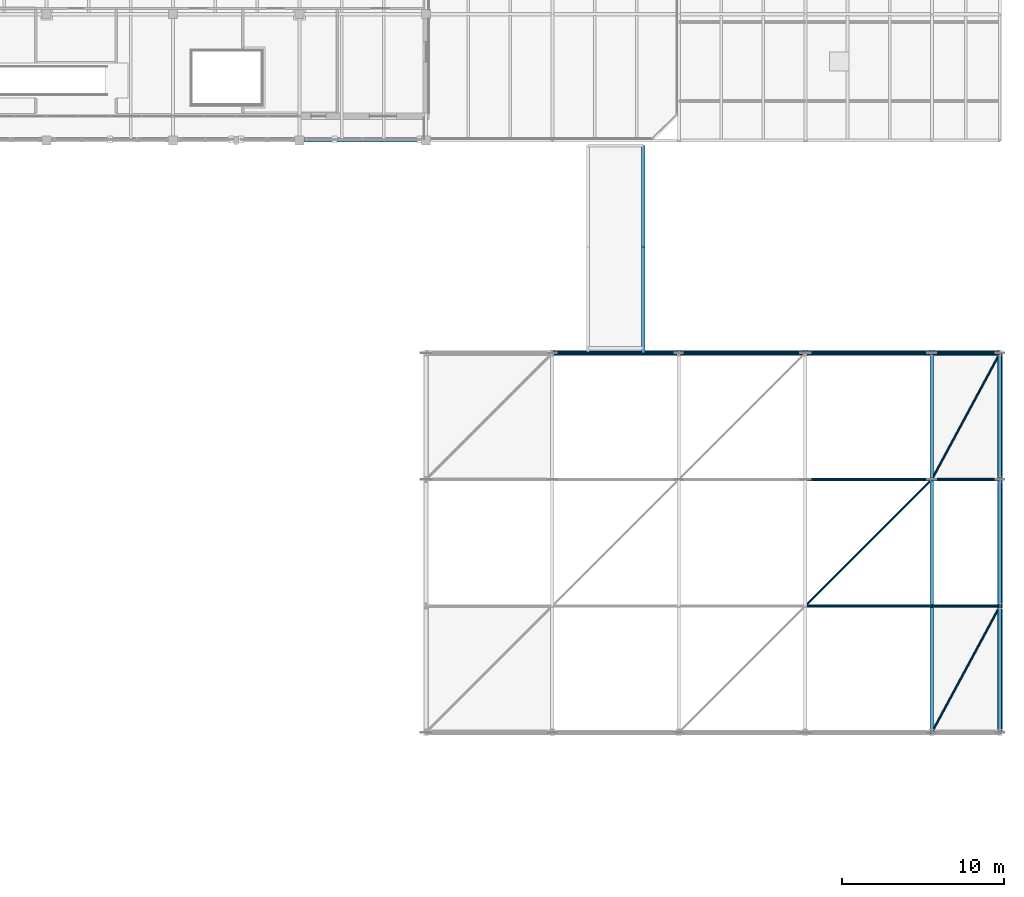
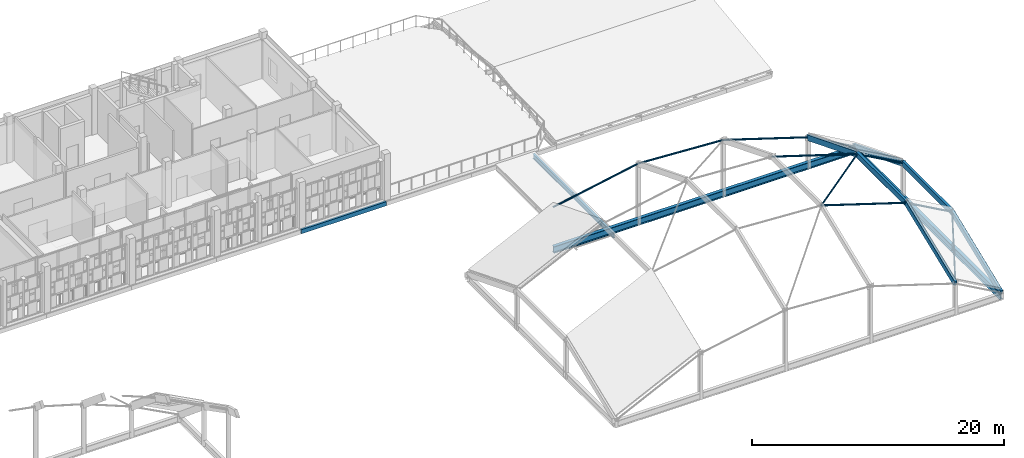
# One storey, part 60 of 119: 17 members, 10 beams.
"""IFC4 building model written with IfcOpenShell, lengths in metres."""

from ifc_helpers import new_model, si_unit, direction, frame, origin, origin_2d, place, context, subcontext, project, spatial, rectangle, hollow_rectangle, hollow_circle, i_section, extrude, material, material_profile, profile_set, type_object, element, save


model = new_model("IFC4")

# Units and contexts
model_context = context("Model", 3, precision=1e-05, world=origin(), true_north=direction((0.0, 1.0)))
body_context = subcontext(model_context, "Body", "Model", "MODEL_VIEW")
ifc_project = project(units=[si_unit("LENGTHUNIT", "METRE"), si_unit("AREAUNIT", "SQUARE_METRE"), si_unit("VOLUMEUNIT", "CUBIC_METRE"), si_unit("PLANEANGLEUNIT", "RADIAN"), si_unit("MASSUNIT", "GRAM", prefix="KILO")], contexts=[model_context])

# Site, building, storey
site_placement = place(None, origin())
site = spatial("IfcSite", under=ifc_project, at=site_placement, CompositionType="ELEMENT")
building_placement = place(site_placement, origin())
building = spatial("IfcBuilding", under=site, at=building_placement, Name="Celorna Specialist Clinic", CompositionType="ELEMENT")
storey_placement = place(building_placement, frame((0.0, 0.0, 9.60009765625)))
storey = spatial("IfcBuildingStorey", under=building, at=storey_placement, Name="L02", CompositionType="ELEMENT", Elevation=9.60009765625)

# Beams
ifc_material_1 = material(Name="Steel S355", Category="steel")
ifc_material_profile_1 = material_profile(ifc_material_1, i_section(OverallWidth=0.300048828125, OverallDepth=0.64990234375, WebThickness=0.01611328125, FlangeThickness=0.031005859375, at=origin_2d()), Name="HE 650 B")
ifc_profile_set_1 = profile_set([ifc_material_profile_1], Name="Steel S355")
beam_type_1 = type_object("IfcBeamType", Name="BM-03", PredefinedType="BEAM", material=ifc_profile_set_1)
for number, where, z_axis, x_axis, name in (
    (1, (140.39990234375, 83.39990234375, 0.27490234375), (1.0, 0.0, 0.0), (0.0, 1.0, 0.0), "GSH-V3 gridshell perimeter edge ring beam"),
    (2, (148.199951171875, 83.39990234375, 0.27490234375), (1.0, 0.0, 0.0), (0.0, 1.0, 0.0), "GSH-V3 gridshell perimeter edge ring beam"),
    (3, (156.0, 83.39990234375, 0.27490234375), (1.0, 0.0, 0.0), (0.0, 1.0, 0.0), "GSH-V3 gridshell perimeter edge ring beam"),
):
    element("IfcBeam", number, at=place(storey_placement, frame(where, z_axis=z_axis, x_axis=x_axis)), inside=storey, type_object=beam_type_1, Name=name, PredefinedType="BEAM", context=body_context, shape_type="SweptSolid", body=[
        extrude(i_section(OverallWidth=0.300048828125, OverallDepth=0.64990234375, WebThickness=0.01611328125, FlangeThickness=0.031005859375, at=origin_2d()), origin(), (0.0, 0.0, 1.0), 7.800048828125),
    ])
beam_1_placement = place(storey_placement, frame((163.800048828125, 83.39990234375, 0.27490234375), z_axis=(1.0, 0.0, 0.0), x_axis=(0.0, 1.0, 0.0)))
element("IfcBeam", 4, at=beam_1_placement, inside=storey, type_object=beam_type_1, Name="GSH-V3 gridshell perimeter edge ring beam", PredefinedType="BEAM", context=body_context, shape_type="SweptSolid", body=[
    extrude(i_section(OverallWidth=0.300048828125, OverallDepth=0.64990234375, WebThickness=0.01611328125, FlangeThickness=0.031005859375, at=origin_2d()), origin(), (0.0, 0.0, 1.0), 4.199951171875),
])
for number, where, z_axis, x_axis, name in (
    (5, (168.0, 60.0, 0.27490234375), (0.0, 1.0, 0.0), (-1.0, 0.0, 0.0), "GSH-V3 gridshell perimeter edge ring beam"),
    (6, (168.0, 67.800048828125, 0.27490234375), (0.0, 1.0, 0.0), (-1.0, 0.0, 0.0), "GSH-V3 gridshell perimeter edge ring beam"),
):
    element("IfcBeam", number, at=place(storey_placement, frame(where, z_axis=z_axis, x_axis=x_axis)), inside=storey, type_object=beam_type_1, Name=name, PredefinedType="BEAM", context=body_context, shape_type="SweptSolid", body=[
        extrude(i_section(OverallWidth=0.300048828125, OverallDepth=0.64990234375, WebThickness=0.01611328125, FlangeThickness=0.031005859375, at=origin_2d()), origin(), (0.0, 0.0, 1.0), 7.800048828125),
    ])
beam_2_placement = place(storey_placement, frame((168.0, 75.60009765625, 0.27490234375), z_axis=(0.0, 1.0, 0.0), x_axis=(-1.0, 0.0, 0.0)))
element("IfcBeam", 7, at=beam_2_placement, inside=storey, type_object=beam_type_1, Name="GSH-V3 gridshell perimeter edge ring beam", PredefinedType="BEAM", context=body_context, shape_type="SweptSolid", body=[
    extrude(i_section(OverallWidth=0.300048828125, OverallDepth=0.64990234375, WebThickness=0.01611328125, FlangeThickness=0.031005859375, at=origin_2d()), origin(), (0.0, 0.0, 1.0), 7.7998046875),
])
ifc_material_profile_2 = material_profile(ifc_material_1, i_section(OverallWidth=0.18994140625, OverallDepth=0.449951171875, WebThickness=0.009521484375, FlangeThickness=0.0146484375, at=origin_2d()), Name="IPE 450")
ifc_profile_set_2 = profile_set([ifc_material_profile_2], Name="Steel S355")
beam_type_2 = type_object("IfcBeamType", Name="BM-09", PredefinedType="BEAM", material=ifc_profile_set_2)
beam_3_placement = place(storey_placement, frame((146.0, 83.39990234375, -0.364990234375), z_axis=(0.0, 1.0, 0.0), x_axis=(-1.0, 0.0, 0.0)))
element("IfcBeam", 8, at=beam_3_placement, inside=storey, type_object=beam_type_2, Name="Bridge BR-05 edge girder BM-09 #124", PredefinedType="BEAM", context=body_context, shape_type="SweptSolid", body=[
    extrude(i_section(OverallWidth=0.18994140625, OverallDepth=0.449951171875, WebThickness=0.009521484375, FlangeThickness=0.0146484375, at=origin_2d()), origin(), (0.0, 0.0, 1.0), 6.550048828125),
])
beam_4_placement = place(storey_placement, frame((146.0, 89.949951171875, -0.364990234375), z_axis=(0.0, 1.0, 0.0), x_axis=(-1.0, 0.0, 0.0)))
element("IfcBeam", 9, at=beam_4_placement, inside=storey, type_object=beam_type_2, Name="Bridge BR-05 edge girder BM-09 #125", PredefinedType="BEAM", context=body_context, shape_type="SweptSolid", body=[
    extrude(i_section(OverallWidth=0.18994140625, OverallDepth=0.449951171875, WebThickness=0.009521484375, FlangeThickness=0.0146484375, at=origin_2d()), origin(), (0.0, 0.0, 1.0), 6.25),
])
ifc_material_profile_3 = material_profile(ifc_material_1, hollow_rectangle(XDim=0.199951171875, YDim=0.39990234375, WallThickness=0.011962890625, at=origin_2d()), Name="RHS 200x400x12")
ifc_profile_set_3 = profile_set([ifc_material_profile_3], Name="Steel S355")
beam_type_3 = type_object("IfcBeamType", Name="BM-15", PredefinedType="SPANDREL", material=ifc_profile_set_3)
beam_5_placement = place(storey_placement, frame((124.800048828125, 96.5, -0.460205078125), z_axis=(1.0, 0.0, 0.0), x_axis=(0.0, 1.0, 0.0)))
element("IfcBeam", 10, at=beam_5_placement, inside=storey, type_object=beam_type_3, Name="Spandrel beam BM-15 #1076", PredefinedType="SPANDREL", context=body_context, shape_type="SweptSolid", body=[
    extrude(hollow_rectangle(XDim=0.199951171875, YDim=0.39990234375, WallThickness=0.011962890625, at=origin_2d()), origin(), (0.0, 0.0, 1.0), 7.800048828125),
])

# Members
ifc_material_2 = material(Name="Glulam GL28h", Category="wood")
ifc_material_profile_4 = material_profile(ifc_material_2, rectangle(XDim=0.219970703125, YDim=0.52001953125, at=origin_2d()), Name="GL28h 220x520")
ifc_profile_set_4 = profile_set([ifc_material_profile_4], Name="Glulam GL28h")
member_type_1 = type_object("IfcMemberType", Name="MB-02", PredefinedType="RAFTER", material=ifc_profile_set_4)
member_1_placement = place(storey_placement, frame((163.800048828125, 60.0, 2.9521484375), z_axis=(0.0, 0.92906313659, 0.369921191917), x_axis=(-1.0, 0.0, 0.0)))
element("IfcMember", 11, at=member_1_placement, inside=storey, type_object=member_type_1, Name="GSH-V3 glulam gridshell arch rib WP-237-WP-253", PredefinedType="RAFTER", context=body_context, shape_type="SweptSolid", body=[
    extrude(rectangle(XDim=0.219970703125, YDim=0.52001953125, at=origin_2d()), origin(), (0.0, 0.0, 1.0), 8.3955078125),
])
member_2_placement = place(storey_placement, frame((163.800048828125, 67.800048828125, 6.057861328125), z_axis=(0.0, 1.0, 0.0), x_axis=(-1.0, 0.0, 0.0)))
element("IfcMember", 12, at=member_2_placement, inside=storey, type_object=member_type_1, Name="GSH-V3 glulam gridshell arch rib WP-253-WP-254", PredefinedType="RAFTER", context=body_context, shape_type="SweptSolid", body=[
    extrude(rectangle(XDim=0.219970703125, YDim=0.52001953125, at=origin_2d()), origin(), (0.0, 0.0, 1.0), 7.800048828125),
])
member_3_placement = place(storey_placement, frame((163.800048828125, 75.60009765625, 6.057861328125), z_axis=(0.0, 0.929059157132, -0.369931186236), x_axis=(-1.0, 0.0, 0.0)))
element("IfcMember", 13, at=member_3_placement, inside=storey, type_object=member_type_1, Name="GSH-V3 glulam gridshell arch rib WP-254-WP-243", PredefinedType="RAFTER", context=body_context, shape_type="SweptSolid", body=[
    extrude(rectangle(XDim=0.219970703125, YDim=0.52001953125, at=origin_2d()), origin(), (0.0, 0.0, 1.0), 8.395263671875),
])
member_4_placement = place(storey_placement, frame((168.0, 60.0, 0.599853515625), z_axis=(0.0, 0.92906313659, 0.369921191917), x_axis=(-1.0, 0.0, 0.0)))
element("IfcMember", 14, at=member_4_placement, inside=storey, type_object=member_type_1, Name="GSH-V3 glulam gridshell arch rib WP-238-WP-255", PredefinedType="RAFTER", context=body_context, shape_type="SweptSolid", body=[
    extrude(rectangle(XDim=0.219970703125, YDim=0.52001953125, at=origin_2d()), origin(), (0.0, 0.0, 1.0), 8.3955078125),
])
member_5_placement = place(storey_placement, frame((168.0, 67.800048828125, 3.70556640625), z_axis=(0.0, 1.0, 0.0), x_axis=(-1.0, 0.0, 0.0)))
element("IfcMember", 15, at=member_5_placement, inside=storey, type_object=member_type_1, Name="GSH-V3 glulam gridshell arch rib WP-255-WP-256", PredefinedType="RAFTER", context=body_context, shape_type="SweptSolid", body=[
    extrude(rectangle(XDim=0.219970703125, YDim=0.52001953125, at=origin_2d()), origin(), (0.0, 0.0, 1.0), 7.800048828125),
])
member_6_placement = place(storey_placement, frame((168.0, 75.60009765625, 3.70556640625), z_axis=(0.0, 0.929059157132, -0.369931186236), x_axis=(-1.0, 0.0, 0.0)))
element("IfcMember", 16, at=member_6_placement, inside=storey, type_object=member_type_1, Name="GSH-V3 glulam gridshell arch rib WP-256-WP-244", PredefinedType="RAFTER", context=body_context, shape_type="SweptSolid", body=[
    extrude(rectangle(XDim=0.219970703125, YDim=0.52001953125, at=origin_2d()), origin(), (0.0, 0.0, 1.0), 8.395263671875),
])
ifc_material_profile_5 = material_profile(ifc_material_1, hollow_circle(Radius=0.084228515625, WallThickness=0.010009765625, at=origin_2d()), Name="CHS 168.3x10")
ifc_profile_set_5 = profile_set([ifc_material_profile_5], Name="Steel S355")
member_type_2 = type_object("IfcMemberType", Name="MB-03", PredefinedType="PURLIN", material=ifc_profile_set_5)
member_7_placement = place(storey_placement, frame((140.39990234375, 83.39990234375, 4.368408203125), z_axis=(0.982000965733, 0.0, 0.188875893907), x_axis=(0.0, 1.0, 0.0)))
element("IfcMember", 17, at=member_7_placement, inside=storey, type_object=member_type_2, Name="GSH-V3 gridshell edge arch chord WP-240-WP-241", PredefinedType="PURLIN", context=body_context, shape_type="SweptSolid", body=[
    extrude(hollow_circle(Radius=0.084228515625, WallThickness=0.010009765625, at=origin_2d()), origin(), (0.0, 0.0, 1.0), 7.943115234375),
])
member_8_placement = place(storey_placement, frame((148.199951171875, 83.39990234375, 5.86865234375), z_axis=(0.99839378478, 0.0, -0.05665554264), x_axis=(0.0, 1.0, 0.0)))
element("IfcMember", 18, at=member_8_placement, inside=storey, type_object=member_type_2, Name="GSH-V3 gridshell edge arch chord WP-241-WP-242", PredefinedType="PURLIN", context=body_context, shape_type="SweptSolid", body=[
    extrude(hollow_circle(Radius=0.084228515625, WallThickness=0.010009765625, at=origin_2d()), origin(), (0.0, 0.0, 1.0), 7.8125),
])
member_9_placement = place(storey_placement, frame((156.0, 83.39990234375, 5.426025390625), z_axis=(0.953206314855, 0.0, -0.302320560532), x_axis=(0.0, 1.0, 0.0)))
element("IfcMember", 19, at=member_9_placement, inside=storey, type_object=member_type_2, Name="GSH-V3 gridshell edge arch chord WP-242-WP-243", PredefinedType="PURLIN", context=body_context, shape_type="SweptSolid", body=[
    extrude(hollow_circle(Radius=0.084228515625, WallThickness=0.010009765625, at=origin_2d()), origin(), (0.0, 0.0, 1.0), 8.182861328125),
])
member_10_placement = place(storey_placement, frame((163.800048828125, 83.39990234375, 2.9521484375), z_axis=(0.872477474798, 0.0, -0.488654331784), x_axis=(0.0, 1.0, 0.0)))
element("IfcMember", 20, at=member_10_placement, inside=storey, type_object=member_type_2, Name="GSH-V3 gridshell edge arch chord WP-243-WP-244", PredefinedType="PURLIN", context=body_context, shape_type="SweptSolid", body=[
    extrude(hollow_circle(Radius=0.084228515625, WallThickness=0.010009765625, at=origin_2d()), origin(), (0.0, 0.0, 1.0), 4.813720703125),
])
member_11_placement = place(storey_placement, frame((156.0, 67.800048828125, 8.53173828125), z_axis=(0.953206314855, 0.0, -0.302320560532), x_axis=(0.0, 1.0, 0.0)))
element("IfcMember", 21, at=member_11_placement, inside=storey, type_object=member_type_2, Name="GSH-V3 gridshell steel purlin WP-251-WP-253", PredefinedType="PURLIN", context=body_context, shape_type="SweptSolid", body=[
    extrude(hollow_circle(Radius=0.084228515625, WallThickness=0.010009765625, at=origin_2d()), origin(), (0.0, 0.0, 1.0), 8.182861328125),
])
member_12_placement = place(storey_placement, frame((163.800048828125, 67.800048828125, 6.057861328125), z_axis=(0.872477474798, 0.0, -0.488654331784), x_axis=(0.0, 1.0, 0.0)))
element("IfcMember", 22, at=member_12_placement, inside=storey, type_object=member_type_2, Name="GSH-V3 gridshell steel purlin WP-253-WP-255", PredefinedType="PURLIN", context=body_context, shape_type="SweptSolid", body=[
    extrude(hollow_circle(Radius=0.084228515625, WallThickness=0.010009765625, at=origin_2d()), origin(), (0.0, 0.0, 1.0), 4.813720703125),
])
member_13_placement = place(storey_placement, frame((156.0, 75.60009765625, 8.53173828125), z_axis=(0.953206314855, 0.0, -0.302320560532), x_axis=(0.0, 1.0, 0.0)))
element("IfcMember", 23, at=member_13_placement, inside=storey, type_object=member_type_2, Name="GSH-V3 gridshell steel purlin WP-252-WP-254", PredefinedType="PURLIN", context=body_context, shape_type="SweptSolid", body=[
    extrude(hollow_circle(Radius=0.084228515625, WallThickness=0.010009765625, at=origin_2d()), origin(), (0.0, 0.0, 1.0), 8.182861328125),
])
member_14_placement = place(storey_placement, frame((163.800048828125, 75.60009765625, 6.057861328125), z_axis=(0.872477474798, 0.0, -0.488654331784), x_axis=(0.0, 1.0, 0.0)))
element("IfcMember", 24, at=member_14_placement, inside=storey, type_object=member_type_2, Name="GSH-V3 gridshell steel purlin WP-254-WP-256", PredefinedType="PURLIN", context=body_context, shape_type="SweptSolid", body=[
    extrude(hollow_circle(Radius=0.084228515625, WallThickness=0.010009765625, at=origin_2d()), origin(), (0.0, 0.0, 1.0), 4.813720703125),
])
ifc_material_profile_6 = material_profile(ifc_material_1, hollow_circle(Radius=0.06982421875, WallThickness=0.008056640625, at=origin_2d()), Name="CHS 139.7x8")
ifc_profile_set_6 = profile_set([ifc_material_profile_6], Name="Steel S355")
member_type_3 = type_object("IfcMemberType", Name="MB-08", PredefinedType="BRACE", material=ifc_profile_set_6)
member_15_placement = place(storey_placement, frame((156.0, 67.800048828125, 8.53173828125), z_axis=(0.689968385656, 0.689968385656, -0.218831564426), x_axis=(-0.707106781187, 0.707106781187, 0.0)))
element("IfcMember", 25, at=member_15_placement, inside=storey, type_object=member_type_3, Name="GSH-V3 gridshell shell brace WP-251-WP-254", PredefinedType="BRACE", context=body_context, shape_type="SweptSolid", body=[
    extrude(hollow_circle(Radius=0.06982421875, WallThickness=0.008056640625, at=origin_2d()), origin(), (0.0, 0.0, 1.0), 11.304931640625),
])
member_16_placement = place(storey_placement, frame((163.800048828125, 60.0, 2.9521484375), z_axis=(0.472387965602, 0.877307627334, 0.084740409338), x_axis=(-0.880474639554, 0.474093249374, 0.0)))
element("IfcMember", 26, at=member_16_placement, inside=storey, type_object=member_type_3, Name="GSH-V3 gridshell shell brace WP-237-WP-255", PredefinedType="BRACE", context=body_context, shape_type="SweptSolid", body=[
    extrude(hollow_circle(Radius=0.06982421875, WallThickness=0.008056640625, at=origin_2d()), origin(), (0.0, 0.0, 1.0), 8.890869140625),
])
member_17_placement = place(storey_placement, frame((163.800048828125, 75.60009765625, 6.057861328125), z_axis=(0.4036429846, 0.749612629891, -0.52455051815), x_axis=(-0.880468445102, 0.474104753383, 0.0)))
element("IfcMember", 27, at=member_17_placement, inside=storey, type_object=member_type_3, Name="GSH-V3 gridshell shell brace WP-254-WP-244", PredefinedType="BRACE", context=body_context, shape_type="SweptSolid", body=[
    extrude(hollow_circle(Radius=0.06982421875, WallThickness=0.008056640625, at=origin_2d()), origin(), (0.0, 0.0, 1.0), 10.405029296875),
])

save(model, "model.ifc")
